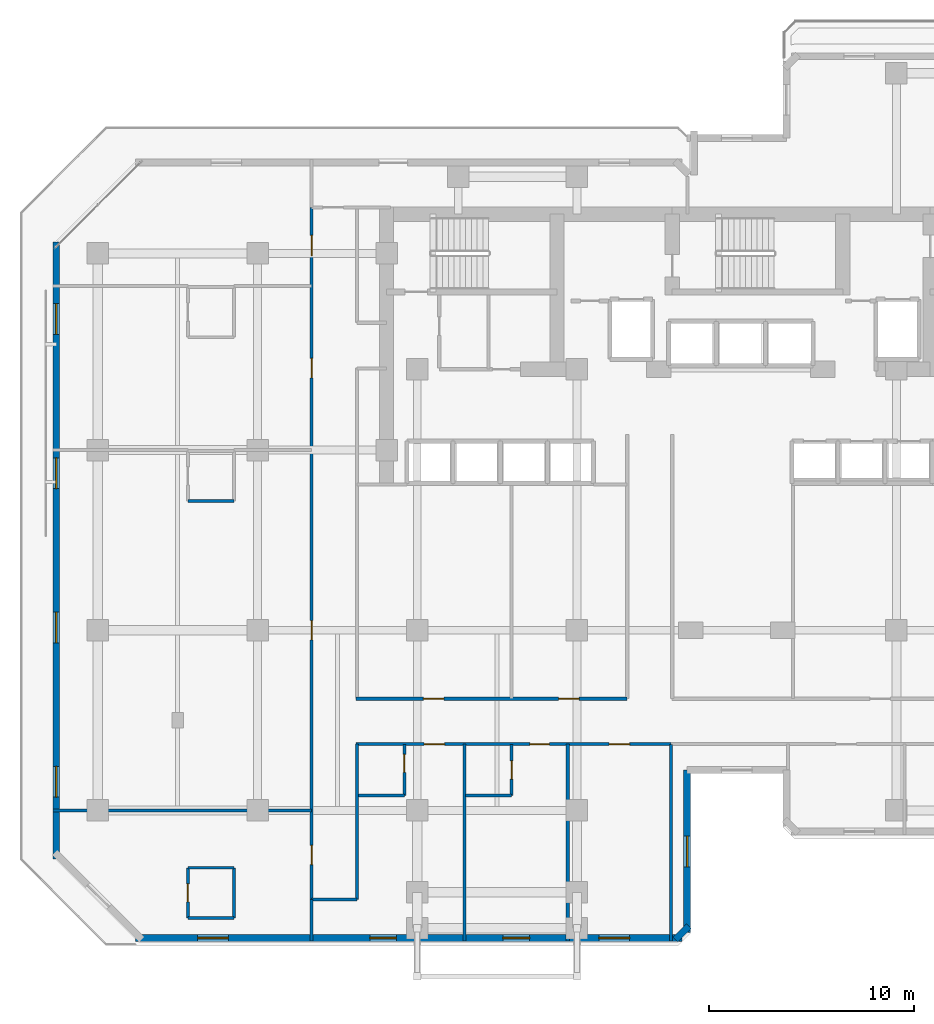
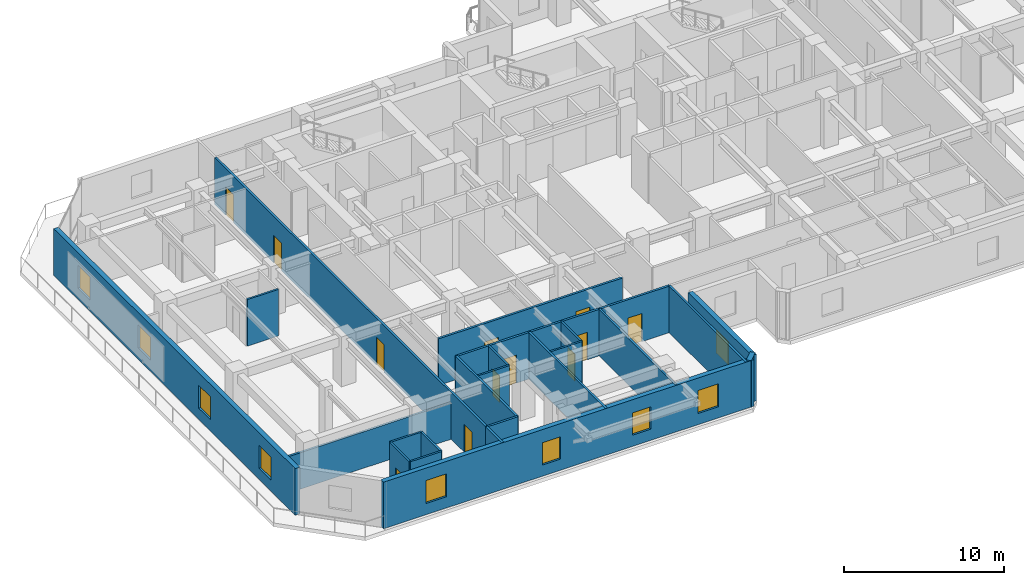
# One storey, part 5 of 11: 23 walls, 12 doors, 9 windows, 21 openings.
"""IFC4 building model written with IfcOpenShell, lengths in metres."""

from ifc_helpers import new_model, si_unit, direction, frame, frame_2d, origin, place, context, subcontext, project, spatial, rectangle, extrude, material, layer, layer_set, type_object, element, fill, save


model = new_model("IFC4")

# Units and contexts
model_context = context("Model", 3, precision=1e-05, world=origin(), true_north=direction((0.0, 1.0)))
body_context = subcontext(model_context, "Body", "Model", "MODEL_VIEW")
ifc_project = project(units=[si_unit("LENGTHUNIT", "METRE"), si_unit("AREAUNIT", "SQUARE_METRE"), si_unit("VOLUMEUNIT", "CUBIC_METRE"), si_unit("PLANEANGLEUNIT", "RADIAN"), si_unit("MASSUNIT", "GRAM", prefix="KILO")], contexts=[model_context])

# Site, building, storey
site_placement = place(None, origin())
site = spatial("IfcSite", under=ifc_project, at=site_placement, CompositionType="ELEMENT")
building_placement = place(site_placement, origin())
building = spatial("IfcBuilding", under=site, at=building_placement, Name="Kestravale Grand Hotel", CompositionType="ELEMENT")
storey_placement = place(building_placement, frame((0.0, 0.0, 134.60009765625)))
storey = spatial("IfcBuildingStorey", under=building, at=storey_placement, Name="L33", CompositionType="ELEMENT", Elevation=134.60009765625)

# Wall, openings, windows
ifc_material_1 = material(Name="Precast concrete f'c 45 MPa", Category="concrete")
ifc_layer_1 = layer(ifc_material_1, 0.340087890625)
ifc_layer_set_1 = layer_set([ifc_layer_1], Name="EW-PREC-340")
wall_type_1 = type_object("IfcWallType", Name="EW-PREC-340", PredefinedType="SOLIDWALL", material=ifc_layer_set_1)
wall_1_placement = place(storey_placement, frame((9.6298828125, 4.969970703125, 0.0), z_axis=(0.0, 0.0, 1.0), x_axis=(1.0, 0.0, 0.0)))
wall_1 = element("IfcWall", 1, at=wall_1_placement, inside=storey, type_object=wall_type_1, Name="L33 fluted precast facade wall 1", PredefinedType="SOLIDWALL", context=body_context, shape_type="SweptSolid", body=[
    extrude(rectangle(XDim=26.690185546875, YDim=0.340087890625, at=frame_2d((13.34521484375, 0.0))), origin(), (0.0, 0.0, 1.0), 3.5498046875),
])
opening_1_placement = place(wall_1_placement, frame((3.04833984375, 0.0, 0.85009765625)))
opening_1 = element("IfcOpeningElement", 2, at=opening_1_placement, cuts=wall_1, Name="Opening W-GUEST-1500", PredefinedType="OPENING", context=body_context, shape_type="SweptSolid", body=[
    extrude(rectangle(XDim=1.5, YDim=1.75, at=frame_2d((0.75, 0.875))), frame((0.0, 0.179931640625, 0.0), z_axis=(0.0, -1.0, 0.0), x_axis=(1.0, 0.0, 0.0)), (0.0, 0.0, 1.0), 0.360107421875),
])
opening_2_placement = place(wall_1_placement, frame((22.6416015625, 0.0, 0.85009765625)))
opening_2 = element("IfcOpeningElement", 3, at=opening_2_placement, cuts=wall_1, Name="Opening W-GUEST-1500", PredefinedType="OPENING", context=body_context, shape_type="SweptSolid", body=[
    extrude(rectangle(XDim=1.5, YDim=1.75, at=frame_2d((0.75, 0.875))), frame((0.0, 0.179931640625, 0.0), z_axis=(0.0, -1.0, 0.0), x_axis=(1.0, 0.0, 0.0)), (0.0, 0.0, 1.0), 0.360107421875),
])
opening_3_placement = place(wall_1_placement, frame((11.449951171875, 0.0, 0.85009765625)))
opening_3 = element("IfcOpeningElement", 4, at=opening_3_placement, cuts=wall_1, Name="Opening W-GUEST-1300", PredefinedType="OPENING", context=body_context, shape_type="SweptSolid", body=[
    extrude(rectangle(XDim=1.300048828125, YDim=1.699951171875, at=frame_2d((0.64990234375, 0.85009765625))), frame((0.0, 0.179931640625, 0.0), z_axis=(0.0, -1.0, 0.0), x_axis=(1.0, 0.0, 0.0)), (0.0, 0.0, 1.0), 0.360107421875),
])
opening_4_placement = place(wall_1_placement, frame((17.955078125, 0.0, 0.85009765625)))
opening_4 = element("IfcOpeningElement", 5, at=opening_4_placement, cuts=wall_1, Name="Opening W-GUEST-1300", PredefinedType="OPENING", context=body_context, shape_type="SweptSolid", body=[
    extrude(rectangle(XDim=1.300048828125, YDim=1.699951171875, at=frame_2d((0.64990234375, 0.85009765625))), frame((0.0, 0.179931640625, 0.0), z_axis=(0.0, -1.0, 0.0), x_axis=(1.0, 0.0, 0.0)), (0.0, 0.0, 1.0), 0.360107421875),
])
ifc_material_2 = material(Name="Insulated low-E double glazing in aluminium frame", Category="aluminium")
window_type_1 = type_object("IfcWindowType", Name="W-GUEST-1300", PartitioningType="SINGLE_PANEL", PredefinedType="WINDOW", material=ifc_material_2)
window_1_placement = place(opening_3_placement, origin())
window_1 = element("IfcWindow", 6, at=window_1_placement, inside=storey, type_object=window_type_1, Name="L33 guestroom envelope window 1", OverallHeight=1.699951171875, OverallWidth=1.300048828125, PartitioningType="SINGLE_PANEL", PredefinedType="WINDOW", context=body_context, shape_type="SweptSolid", body=[
    extrude(rectangle(XDim=1.300048828125, YDim=1.699951171875, at=frame_2d((0.64990234375, 0.85009765625))), frame((0.0, 0.030029296875, 0.0), z_axis=(0.0, -1.0, 0.0), x_axis=(1.0, 0.0, 0.0)), (0.0, 0.0, 1.0), 0.06005859375),
])
fill(opening_3, window_1)
window_2_placement = place(opening_4_placement, origin())
window_2 = element("IfcWindow", 7, at=window_2_placement, inside=storey, type_object=window_type_1, Name="L33 guestroom envelope window 2", OverallHeight=1.699951171875, OverallWidth=1.300048828125, PartitioningType="SINGLE_PANEL", PredefinedType="WINDOW", context=body_context, shape_type="SweptSolid", body=[
    extrude(rectangle(XDim=1.300048828125, YDim=1.699951171875, at=frame_2d((0.64990234375, 0.85009765625))), frame((0.0, 0.030029296875, 0.0), z_axis=(0.0, -1.0, 0.0), x_axis=(1.0, 0.0, 0.0)), (0.0, 0.0, 1.0), 0.06005859375),
])
fill(opening_4, window_2)
ifc_material_3 = material(Name="Insulated low-E double glazing in aluminium frame", Category="aluminium")
window_type_2 = type_object("IfcWindowType", Name="W-GUEST-1500", PartitioningType="SINGLE_PANEL", PredefinedType="WINDOW", material=ifc_material_3)
window_3_placement = place(opening_1_placement, origin())
window_3 = element("IfcWindow", 8, at=window_3_placement, inside=storey, type_object=window_type_2, Name="L33 exterior window 1.1", OverallHeight=1.75, OverallWidth=1.5, PartitioningType="SINGLE_PANEL", PredefinedType="WINDOW", context=body_context, shape_type="SweptSolid", body=[
    extrude(rectangle(XDim=1.5, YDim=1.75, at=frame_2d((0.75, 0.875))), frame((0.0, 0.030029296875, 0.0), z_axis=(0.0, -1.0, 0.0), x_axis=(1.0, 0.0, 0.0)), (0.0, 0.0, 1.0), 0.06005859375),
])
fill(opening_1, window_3)
window_4_placement = place(opening_2_placement, origin())
window_4 = element("IfcWindow", 9, at=window_4_placement, inside=storey, type_object=window_type_2, Name="L33 exterior window 1.2", OverallHeight=1.75, OverallWidth=1.5, PartitioningType="SINGLE_PANEL", PredefinedType="WINDOW", context=body_context, shape_type="SweptSolid", body=[
    extrude(rectangle(XDim=1.5, YDim=1.75, at=frame_2d((0.75, 0.875))), frame((0.0, 0.030029296875, 0.0), z_axis=(0.0, -1.0, 0.0), x_axis=(1.0, 0.0, 0.0)), (0.0, 0.0, 1.0), 0.06005859375),
])
fill(opening_2, window_4)

# Wall
wall_2_placement = place(storey_placement, frame((36.00146484375, 4.891845703125, 0.0), z_axis=(0.0, 0.0, 1.0), x_axis=(0.707106781187, 0.707106781187, 0.0)))
element("IfcWall", 10, at=wall_2_placement, inside=storey, type_object=wall_type_1, Name="L33 fluted precast facade wall 2", PredefinedType="SOLIDWALL", context=body_context, shape_type="SweptSolid", body=[
    extrude(rectangle(XDim=0.9287109375, YDim=0.340087890625, at=frame_2d((0.46435546875, 0.0))), origin(), (0.0, 0.0, 1.0), 3.5498046875),
])

# Wall, opening, window
wall_3_placement = place(storey_placement, frame((36.580078125, 5.22998046875, 0.0), z_axis=(0.0, 0.0, 1.0), x_axis=(0.0, 1.0, 0.0)))
wall_3 = element("IfcWall", 11, at=wall_3_placement, inside=storey, type_object=wall_type_1, Name="L33 fluted precast facade wall 3", PredefinedType="SOLIDWALL", context=body_context, shape_type="SweptSolid", body=[
    extrude(rectangle(XDim=7.93994140625, YDim=0.340087890625, at=frame_2d((3.969970703125, 0.0))), origin(), (0.0, 0.0, 1.0), 3.5498046875),
])
opening_5_placement = place(wall_3_placement, frame((3.219970703125, 0.0, 0.85009765625)))
opening_5 = element("IfcOpeningElement", 12, at=opening_5_placement, cuts=wall_3, Name="Opening W-GUEST-1500", PredefinedType="OPENING", context=body_context, shape_type="SweptSolid", body=[
    extrude(rectangle(XDim=1.5, YDim=1.75, at=frame_2d((0.75, 0.875))), frame((0.0, 0.179931640625, 0.0), z_axis=(0.0, -1.0, 0.0), x_axis=(1.0, 0.0, 0.0)), (0.0, 0.0, 1.0), 0.360107421875),
])
window_5_placement = place(opening_5_placement, origin())
window_5 = element("IfcWindow", 13, at=window_5_placement, inside=storey, type_object=window_type_2, Name="L33 exterior window 3.1", OverallHeight=1.75, OverallWidth=1.5, PartitioningType="SINGLE_PANEL", PredefinedType="WINDOW", context=body_context, shape_type="SweptSolid", body=[
    extrude(rectangle(XDim=1.5, YDim=1.75, at=frame_2d((0.75, 0.875))), frame((0.0, 0.030029296875, 0.0), z_axis=(0.0, -1.0, 0.0), x_axis=(1.0, 0.0, 0.0)), (0.0, 0.0, 1.0), 0.06005859375),
])
fill(opening_5, window_5)

# Wall, openings, windows
wall_4_placement = place(storey_placement, frame((5.77001953125, 38.969970703125, 0.0), z_axis=(0.0, 0.0, 1.0), x_axis=(0.0, -1.0, 0.0)))
wall_4 = element("IfcWall", 14, at=wall_4_placement, inside=storey, type_object=wall_type_1, Name="L33 fluted precast facade wall 19", PredefinedType="SOLIDWALL", context=body_context, shape_type="SweptSolid", body=[
    extrude(rectangle(XDim=30.139892578125, YDim=0.340087890625, at=frame_2d((15.06982421875, 0.0))), origin(), (0.0, 0.0, 1.0), 3.5498046875),
])
opening_6_placement = place(wall_4_placement, frame((3.017578125, 0.0, 0.85009765625)))
opening_6 = element("IfcOpeningElement", 15, at=opening_6_placement, cuts=wall_4, Name="Opening W-GUEST-1500", PredefinedType="OPENING", context=body_context, shape_type="SweptSolid", body=[
    extrude(rectangle(XDim=1.5, YDim=1.75, at=frame_2d((0.75, 0.875))), frame((0.0, 0.179931640625, 0.0), z_axis=(0.0, -1.0, 0.0), x_axis=(1.0, 0.0, 0.0)), (0.0, 0.0, 1.0), 0.360107421875),
])
opening_7_placement = place(wall_4_placement, frame((10.552490234375, 0.0, 0.85009765625)))
opening_7 = element("IfcOpeningElement", 16, at=opening_7_placement, cuts=wall_4, Name="Opening W-GUEST-1500", PredefinedType="OPENING", context=body_context, shape_type="SweptSolid", body=[
    extrude(rectangle(XDim=1.5, YDim=1.75, at=frame_2d((0.75, 0.875))), frame((0.0, 0.179931640625, 0.0), z_axis=(0.0, -1.0, 0.0), x_axis=(1.0, 0.0, 0.0)), (0.0, 0.0, 1.0), 0.360107421875),
])
opening_8_placement = place(wall_4_placement, frame((18.08740234375, 0.0, 0.85009765625)))
opening_8 = element("IfcOpeningElement", 17, at=opening_8_placement, cuts=wall_4, Name="Opening W-GUEST-1500", PredefinedType="OPENING", context=body_context, shape_type="SweptSolid", body=[
    extrude(rectangle(XDim=1.5, YDim=1.75, at=frame_2d((0.75, 0.875))), frame((0.0, 0.179931640625, 0.0), z_axis=(0.0, -1.0, 0.0), x_axis=(1.0, 0.0, 0.0)), (0.0, 0.0, 1.0), 0.360107421875),
])
opening_9_placement = place(wall_4_placement, frame((25.62255859375, 0.0, 0.85009765625)))
opening_9 = element("IfcOpeningElement", 18, at=opening_9_placement, cuts=wall_4, Name="Opening W-GUEST-1500", PredefinedType="OPENING", context=body_context, shape_type="SweptSolid", body=[
    extrude(rectangle(XDim=1.5, YDim=1.75, at=frame_2d((0.75, 0.875))), frame((0.0, 0.179931640625, 0.0), z_axis=(0.0, -1.0, 0.0), x_axis=(1.0, 0.0, 0.0)), (0.0, 0.0, 1.0), 0.360107421875),
])
window_6_placement = place(opening_6_placement, origin())
window_6 = element("IfcWindow", 19, at=window_6_placement, inside=storey, type_object=window_type_2, Name="L33 exterior window 19.1", OverallHeight=1.75, OverallWidth=1.5, PartitioningType="SINGLE_PANEL", PredefinedType="WINDOW", context=body_context, shape_type="SweptSolid", body=[
    extrude(rectangle(XDim=1.5, YDim=1.75, at=frame_2d((0.75, 0.875))), frame((0.0, 0.030029296875, 0.0), z_axis=(0.0, -1.0, 0.0), x_axis=(1.0, 0.0, 0.0)), (0.0, 0.0, 1.0), 0.06005859375),
])
fill(opening_6, window_6)
window_7_placement = place(opening_7_placement, origin())
window_7 = element("IfcWindow", 20, at=window_7_placement, inside=storey, type_object=window_type_2, Name="L33 exterior window 19.2", OverallHeight=1.75, OverallWidth=1.5, PartitioningType="SINGLE_PANEL", PredefinedType="WINDOW", context=body_context, shape_type="SweptSolid", body=[
    extrude(rectangle(XDim=1.5, YDim=1.75, at=frame_2d((0.75, 0.875))), frame((0.0, 0.030029296875, 0.0), z_axis=(0.0, -1.0, 0.0), x_axis=(1.0, 0.0, 0.0)), (0.0, 0.0, 1.0), 0.06005859375),
])
fill(opening_7, window_7)
window_8_placement = place(opening_8_placement, origin())
window_8 = element("IfcWindow", 21, at=window_8_placement, inside=storey, type_object=window_type_2, Name="L33 exterior window 19.3", OverallHeight=1.75, OverallWidth=1.5, PartitioningType="SINGLE_PANEL", PredefinedType="WINDOW", context=body_context, shape_type="SweptSolid", body=[
    extrude(rectangle(XDim=1.5, YDim=1.75, at=frame_2d((0.75, 0.875))), frame((0.0, 0.030029296875, 0.0), z_axis=(0.0, -1.0, 0.0), x_axis=(1.0, 0.0, 0.0)), (0.0, 0.0, 1.0), 0.06005859375),
])
fill(opening_8, window_8)
window_9_placement = place(opening_9_placement, origin())
window_9 = element("IfcWindow", 22, at=window_9_placement, inside=storey, type_object=window_type_2, Name="L33 exterior window 19.4", OverallHeight=1.75, OverallWidth=1.5, PartitioningType="SINGLE_PANEL", PredefinedType="WINDOW", context=body_context, shape_type="SweptSolid", body=[
    extrude(rectangle(XDim=1.5, YDim=1.75, at=frame_2d((0.75, 0.875))), frame((0.0, 0.030029296875, 0.0), z_axis=(0.0, -1.0, 0.0), x_axis=(1.0, 0.0, 0.0)), (0.0, 0.0, 1.0), 0.06005859375),
])
fill(opening_9, window_9)

# Wall, openings, doors
ifc_material_4 = material(Name="Acoustic fire-rated gypsum board partition", Category="other")
ifc_layer_2 = layer(ifc_material_4, 0.159912109375)
ifc_layer_set_2 = layer_set([ifc_layer_2], Name="IW-CORR-160")
wall_type_2 = type_object("IfcWallType", Name="IW-CORR-160", PredefinedType="PARTITIONING", material=ifc_layer_set_2)
wall_5_placement = place(storey_placement, frame((20.39990234375, 16.659912109375, 0.0), z_axis=(0.0, 0.0, 1.0), x_axis=(1.0, 0.0, 0.0)))
wall_5 = element("IfcWall", 23, at=wall_5_placement, inside=storey, type_object=wall_type_2, Name="W-L33-CW-N", PredefinedType="PARTITIONING", context=body_context, shape_type="SweptSolid", body=[
    extrude(rectangle(XDim=13.25, YDim=0.159912109375, at=frame_2d((6.625, 0.0))), origin(), (0.0, 0.0, 1.0), 3.5498046875),
])
opening_10_placement = place(wall_5_placement, frame((3.300048828125, 0.0, 0.0)))
opening_10 = element("IfcOpeningElement", 24, at=opening_10_placement, cuts=wall_5, Name="Opening D-GUEST-1000", PredefinedType="OPENING", context=body_context, shape_type="SweptSolid", body=[
    extrude(rectangle(XDim=1.0, YDim=2.14990234375, at=frame_2d((0.5, 1.074951171875))), frame((0.0, 0.08984375, 0.0), z_axis=(0.0, -1.0, 0.0), x_axis=(1.0, 0.0, 0.0)), (0.0, 0.0, 1.0), 0.179931640625),
])
opening_11_placement = place(wall_5_placement, frame((9.89990234375, 0.0, 0.0)))
opening_11 = element("IfcOpeningElement", 25, at=opening_11_placement, cuts=wall_5, Name="Opening D-GUEST-1000", PredefinedType="OPENING", context=body_context, shape_type="SweptSolid", body=[
    extrude(rectangle(XDim=1.0, YDim=2.14990234375, at=frame_2d((0.5, 1.074951171875))), frame((0.0, 0.08984375, 0.0), z_axis=(0.0, -1.0, 0.0), x_axis=(1.0, 0.0, 0.0)), (0.0, 0.0, 1.0), 0.179931640625),
])
ifc_material_5 = material(Name="Accessible walnut veneer hotel entrance fire door", Category="wood")
door_type_1 = type_object("IfcDoorType", Name="D-GUEST-1000", OperationType="NOTDEFINED", PredefinedType="DOOR", material=ifc_material_5)
door_1_placement = place(opening_10_placement, origin())
door_1 = element("IfcDoor", 26, at=door_1_placement, inside=storey, type_object=door_type_1, Name="D-L33-RECL-W1", OperationType="SINGLE_SWING_LEFT", OverallHeight=2.14990234375, OverallWidth=1.0, PredefinedType="DOOR", context=body_context, shape_type="SweptSolid", body=[
    extrude(rectangle(XDim=1.0, YDim=2.14990234375, at=frame_2d((0.5, 1.074951171875))), frame((0.0, 0.02490234375, 0.0), z_axis=(0.0, -1.0, 0.0), x_axis=(1.0, 0.0, 0.0)), (0.0, 0.0, 1.0), 0.050048828125),
])
fill(opening_10, door_1)
door_2_placement = place(opening_11_placement, origin())
door_2 = element("IfcDoor", 27, at=door_2_placement, inside=storey, type_object=door_type_1, Name="D-L33-RECL-W2", OperationType="SINGLE_SWING_RIGHT", OverallHeight=2.14990234375, OverallWidth=1.0, PredefinedType="DOOR", context=body_context, shape_type="SweptSolid", body=[
    extrude(rectangle(XDim=1.0, YDim=2.14990234375, at=frame_2d((0.5, 1.074951171875))), frame((0.0, 0.02490234375, 0.0), z_axis=(0.0, -1.0, 0.0), x_axis=(1.0, 0.0, 0.0)), (0.0, 0.0, 1.0), 0.050048828125),
])
fill(opening_11, door_2)

wall_6_placement = place(storey_placement, frame((20.39990234375, 14.43994140625, 0.0), z_axis=(0.0, 0.0, 1.0), x_axis=(1.0, 0.0, 0.0)))
wall_6 = element("IfcWall", 28, at=wall_6_placement, inside=storey, type_object=wall_type_2, Name="W-L33-CW-S", PredefinedType="PARTITIONING", context=body_context, shape_type="SweptSolid", body=[
    extrude(rectangle(XDim=15.400146484375, YDim=0.159912109375, at=frame_2d((7.7001953125, 0.0))), origin(), (0.0, 0.0, 1.0), 3.5498046875),
])
opening_12_placement = place(wall_6_placement, frame((3.3349609375, 0.0, 0.0)))
opening_12 = element("IfcOpeningElement", 29, at=opening_12_placement, cuts=wall_6, Name="Opening D-GUEST-1000", PredefinedType="OPENING", context=body_context, shape_type="SweptSolid", body=[
    extrude(rectangle(XDim=1.0, YDim=2.14990234375, at=frame_2d((0.5, 1.074951171875))), frame((0.0, 0.08984375, 0.0), z_axis=(0.0, -1.0, 0.0), x_axis=(1.0, 0.0, 0.0)), (0.0, 0.0, 1.0), 0.179931640625),
])
opening_13_placement = place(wall_6_placement, frame((8.5048828125, 0.0, 0.0)))
opening_13 = element("IfcOpeningElement", 30, at=opening_13_placement, cuts=wall_6, Name="Opening D-GUEST-950", PredefinedType="OPENING", context=body_context, shape_type="SweptSolid", body=[
    extrude(rectangle(XDim=0.949951171875, YDim=2.10009765625, at=frame_2d((0.47509765625, 1.050048828125))), frame((0.0, 0.08984375, 0.0), z_axis=(0.0, -1.0, 0.0), x_axis=(1.0, 0.0, 0.0)), (0.0, 0.0, 1.0), 0.179931640625),
])
opening_14_placement = place(wall_6_placement, frame((12.375, 0.0, 0.0)))
opening_14 = element("IfcOpeningElement", 31, at=opening_14_placement, cuts=wall_6, Name="Opening D-GUEST-1000", PredefinedType="OPENING", context=body_context, shape_type="SweptSolid", body=[
    extrude(rectangle(XDim=1.0, YDim=2.14990234375, at=frame_2d((0.5, 1.074951171875))), frame((0.0, 0.08984375, 0.0), z_axis=(0.0, -1.0, 0.0), x_axis=(1.0, 0.0, 0.0)), (0.0, 0.0, 1.0), 0.179931640625),
])
door_3_placement = place(opening_12_placement, origin())
door_3 = element("IfcDoor", 32, at=door_3_placement, inside=storey, type_object=door_type_1, Name="D-L33-U01-ENT", OperationType="SINGLE_SWING_RIGHT", OverallHeight=2.14990234375, OverallWidth=1.0, PredefinedType="DOOR", context=body_context, shape_type="SweptSolid", body=[
    extrude(rectangle(XDim=1.0, YDim=2.14990234375, at=frame_2d((0.5, 1.074951171875))), frame((0.0, 0.02490234375, 0.0), z_axis=(0.0, -1.0, 0.0), x_axis=(1.0, 0.0, 0.0)), (0.0, 0.0, 1.0), 0.050048828125),
])
fill(opening_12, door_3)
door_4_placement = place(opening_14_placement, origin())
door_4 = element("IfcDoor", 33, at=door_4_placement, inside=storey, type_object=door_type_1, Name="D-L33-AMW", OperationType="SINGLE_SWING_LEFT", OverallHeight=2.14990234375, OverallWidth=1.0, PredefinedType="DOOR", context=body_context, shape_type="SweptSolid", body=[
    extrude(rectangle(XDim=1.0, YDim=2.14990234375, at=frame_2d((0.5, 1.074951171875))), frame((0.0, 0.02490234375, 0.0), z_axis=(0.0, -1.0, 0.0), x_axis=(1.0, 0.0, 0.0)), (0.0, 0.0, 1.0), 0.050048828125),
])
fill(opening_14, door_4)
ifc_material_6 = material(Name="Walnut veneer hotel guestroom entrance fire door", Category="wood")
door_type_2 = type_object("IfcDoorType", Name="D-GUEST-950", OperationType="NOTDEFINED", PredefinedType="DOOR", material=ifc_material_6)
door_5_placement = place(opening_13_placement, origin())
door_5 = element("IfcDoor", 34, at=door_5_placement, inside=storey, type_object=door_type_2, Name="D-L33-U02-ENT", OperationType="SINGLE_SWING_RIGHT", OverallHeight=2.10009765625, OverallWidth=0.949951171875, PredefinedType="DOOR", context=body_context, shape_type="SweptSolid", body=[
    extrude(rectangle(XDim=0.949951171875, YDim=2.10009765625, at=frame_2d((0.47509765625, 1.050048828125))), frame((0.0, 0.02490234375, 0.0), z_axis=(0.0, -1.0, 0.0), x_axis=(1.0, 0.0, 0.0)), (0.0, 0.0, 1.0), 0.050048828125),
])
fill(opening_13, door_5)

wall_7_placement = place(storey_placement, frame((18.239990234375, 6.85009765625, 0.0), z_axis=(0.0, 0.0, 1.0), x_axis=(0.0, 1.0, 0.0)))
wall_7 = element("IfcWall", 35, at=wall_7_placement, inside=storey, type_object=wall_type_2, Name="W-L33-SW-W", PredefinedType="PARTITIONING", context=body_context, shape_type="SweptSolid", body=[
    extrude(rectangle(XDim=33.7998046875, YDim=0.159912109375, at=frame_2d((16.89990234375, 0.0))), origin(), (0.0, 0.0, 1.0), 3.5498046875),
])
opening_15_placement = place(wall_7_placement, frame((1.699951171875, 0.0, 0.0)))
opening_15 = element("IfcOpeningElement", 36, at=opening_15_placement, cuts=wall_7, Name="Opening D-GUEST-950", PredefinedType="OPENING", context=body_context, shape_type="SweptSolid", body=[
    extrude(rectangle(XDim=0.949951171875, YDim=2.10009765625, at=frame_2d((0.47509765625, 1.050048828125))), frame((0.0, 0.08984375, 0.0), z_axis=(0.0, -1.0, 0.0), x_axis=(1.0, 0.0, 0.0)), (0.0, 0.0, 1.0), 0.179931640625),
])
opening_16_placement = place(wall_7_placement, frame((12.675048828125, 0.0, 0.0)))
opening_16 = element("IfcOpeningElement", 37, at=opening_16_placement, cuts=wall_7, Name="Opening D-GUEST-950", PredefinedType="OPENING", context=body_context, shape_type="SweptSolid", body=[
    extrude(rectangle(XDim=0.949951171875, YDim=2.10009765625, at=frame_2d((0.47509765625, 1.050048828125))), frame((0.0, 0.08984375, 0.0), z_axis=(0.0, -1.0, 0.0), x_axis=(1.0, 0.0, 0.0)), (0.0, 0.0, 1.0), 0.179931640625),
])
opening_17_placement = place(wall_7_placement, frame((25.47509765625, 0.0, 0.0)))
opening_17 = element("IfcOpeningElement", 38, at=opening_17_placement, cuts=wall_7, Name="Opening D-GUEST-950", PredefinedType="OPENING", context=body_context, shape_type="SweptSolid", body=[
    extrude(rectangle(XDim=0.949951171875, YDim=2.10009765625, at=frame_2d((0.47509765625, 1.050048828125))), frame((0.0, 0.08984375, 0.0), z_axis=(0.0, -1.0, 0.0), x_axis=(1.0, 0.0, 0.0)), (0.0, 0.0, 1.0), 0.179931640625),
])
opening_18_placement = place(wall_7_placement, frame((31.429931640625, 0.0, 0.0)))
opening_18 = element("IfcOpeningElement", 39, at=opening_18_placement, cuts=wall_7, Name="Opening D-GUEST-1000", PredefinedType="OPENING", context=body_context, shape_type="SweptSolid", body=[
    extrude(rectangle(XDim=1.0, YDim=2.14990234375, at=frame_2d((0.5, 1.074951171875))), frame((0.0, 0.08984375, 0.0), z_axis=(0.0, -1.0, 0.0), x_axis=(1.0, 0.0, 0.0)), (0.0, 0.0, 1.0), 0.179931640625),
])
door_6_placement = place(opening_18_placement, origin())
door_6 = element("IfcDoor", 40, at=door_6_placement, inside=storey, type_object=door_type_1, Name="D-L33-AMWW", OperationType="SINGLE_SWING_LEFT", OverallHeight=2.14990234375, OverallWidth=1.0, PredefinedType="DOOR", context=body_context, shape_type="SweptSolid", body=[
    extrude(rectangle(XDim=1.0, YDim=2.14990234375, at=frame_2d((0.5, 1.074951171875))), frame((0.0, 0.02490234375, 0.0), z_axis=(0.0, -1.0, 0.0), x_axis=(1.0, 0.0, 0.0)), (0.0, 0.0, 1.0), 0.050048828125),
])
fill(opening_18, door_6)
door_7_placement = place(opening_15_placement, origin())
door_7 = element("IfcDoor", 41, at=door_7_placement, inside=storey, type_object=door_type_2, Name="D-L33-U03-ENT", OperationType="SINGLE_SWING_RIGHT", OverallHeight=2.10009765625, OverallWidth=0.949951171875, PredefinedType="DOOR", context=body_context, shape_type="SweptSolid", body=[
    extrude(rectangle(XDim=0.949951171875, YDim=2.10009765625, at=frame_2d((0.47509765625, 1.050048828125))), frame((0.0, 0.02490234375, 0.0), z_axis=(0.0, -1.0, 0.0), x_axis=(1.0, 0.0, 0.0)), (0.0, 0.0, 1.0), 0.050048828125),
])
fill(opening_15, door_7)
door_8_placement = place(opening_16_placement, origin())
door_8 = element("IfcDoor", 42, at=door_8_placement, inside=storey, type_object=door_type_2, Name="D-L33-U04-ENT", OperationType="SINGLE_SWING_RIGHT", OverallHeight=2.10009765625, OverallWidth=0.949951171875, PredefinedType="DOOR", context=body_context, shape_type="SweptSolid", body=[
    extrude(rectangle(XDim=0.949951171875, YDim=2.10009765625, at=frame_2d((0.47509765625, 1.050048828125))), frame((0.0, 0.02490234375, 0.0), z_axis=(0.0, -1.0, 0.0), x_axis=(1.0, 0.0, 0.0)), (0.0, 0.0, 1.0), 0.050048828125),
])
fill(opening_16, door_8)
door_9_placement = place(opening_17_placement, origin())
door_9 = element("IfcDoor", 43, at=door_9_placement, inside=storey, type_object=door_type_2, Name="D-L33-U05-ENT", OperationType="SINGLE_SWING_RIGHT", OverallHeight=2.10009765625, OverallWidth=0.949951171875, PredefinedType="DOOR", context=body_context, shape_type="SweptSolid", body=[
    extrude(rectangle(XDim=0.949951171875, YDim=2.10009765625, at=frame_2d((0.47509765625, 1.050048828125))), frame((0.0, 0.02490234375, 0.0), z_axis=(0.0, -1.0, 0.0), x_axis=(1.0, 0.0, 0.0)), (0.0, 0.0, 1.0), 0.050048828125),
])
fill(opening_17, door_9)

# Wall
wall_8_placement = place(storey_placement, frame((20.4599609375, 6.85009765625, 0.0), z_axis=(0.0, 0.0, 1.0), x_axis=(0.0, 1.0, 0.0)))
element("IfcWall", 44, at=wall_8_placement, inside=storey, type_object=wall_type_2, Name="W-L33-SW-E", PredefinedType="PARTITIONING", context=body_context, shape_type="SweptSolid", body=[
    extrude(rectangle(XDim=7.58984375, YDim=0.159912109375, at=frame_2d((3.794921875, 0.0))), origin(), (0.0, 0.0, 1.0), 3.5498046875),
])

# Wall, opening, door
ifc_material_7 = material(Name="Moisture-resistant tile-backer plumbing chase wall", Category="other")
ifc_layer_3 = layer(ifc_material_7, 0.139892578125)
ifc_layer_set_3 = layer_set([ifc_layer_3], Name="IW-PLB-140")
wall_type_3 = type_object("IfcWallType", Name="IW-PLB-140", PredefinedType="PLUMBINGWALL", material=ifc_layer_set_3)
wall_9_placement = place(storey_placement, frame((22.77001953125, 11.929931640625, 0.0), z_axis=(0.0, 0.0, 1.0), x_axis=(0.0, 1.0, 0.0)))
wall_9 = element("IfcWall", 45, at=wall_9_placement, inside=storey, type_object=wall_type_3, Name="W-L33-U01-BE", PredefinedType="PLUMBINGWALL", context=body_context, shape_type="SweptSolid", body=[
    extrude(rectangle(XDim=2.489990234375, YDim=0.139892578125, at=frame_2d((1.2451171875, 0.0))), origin(), (0.0, 0.0, 1.0), 3.5498046875),
])
opening_19_placement = place(wall_9_placement, frame((1.12451171875, 0.0, 0.0)))
opening_19 = element("IfcOpeningElement", 46, at=opening_19_placement, cuts=wall_9, Name="Opening D-BATH-880", PredefinedType="OPENING", context=body_context, shape_type="SweptSolid", body=[
    extrude(rectangle(XDim=0.8798828125, YDim=2.050048828125, at=frame_2d((0.43994140625, 1.02490234375))), frame((0.0, 0.079833984375, 0.0), z_axis=(0.0, -1.0, 0.0), x_axis=(1.0, 0.0, 0.0)), (0.0, 0.0, 1.0), 0.159912109375),
])
ifc_material_8 = material(Name="Moisture-sealed walnut en-suite bathroom door", Category="wood")
door_type_3 = type_object("IfcDoorType", Name="D-BATH-880", OperationType="NOTDEFINED", PredefinedType="DOOR", material=ifc_material_8)
door_10_placement = place(opening_19_placement, origin())
door_10 = element("IfcDoor", 47, at=door_10_placement, inside=storey, type_object=door_type_3, Name="D-L33-U01-BATH", OperationType="SINGLE_SWING_LEFT", OverallHeight=2.050048828125, OverallWidth=0.8798828125, PredefinedType="DOOR", context=body_context, shape_type="SweptSolid", body=[
    extrude(rectangle(XDim=0.8798828125, YDim=2.050048828125, at=frame_2d((0.43994140625, 1.02490234375))), frame((0.0, 0.02490234375, 0.0), z_axis=(0.0, -1.0, 0.0), x_axis=(1.0, 0.0, 0.0)), (0.0, 0.0, 1.0), 0.050048828125),
])
fill(opening_19, door_10)

# Wall
wall_10_placement = place(storey_placement, frame((20.52001953125, 11.929931640625, 0.0), z_axis=(0.0, 0.0, 1.0), x_axis=(1.0, 0.0, 0.0)))
element("IfcWall", 48, at=wall_10_placement, inside=storey, type_object=wall_type_3, Name="W-L33-U01-BS", PredefinedType="PLUMBINGWALL", context=body_context, shape_type="SweptSolid", body=[
    extrude(rectangle(XDim=2.25, YDim=0.139892578125, at=frame_2d((1.125, 0.0))), origin(), (0.0, 0.0, 1.0), 3.5498046875),
])

# Wall, opening, door
wall_11_placement = place(storey_placement, frame((28.010009765625, 11.929931640625, 0.0), z_axis=(0.0, 0.0, 1.0), x_axis=(0.0, 1.0, 0.0)))
wall_11 = element("IfcWall", 49, at=wall_11_placement, inside=storey, type_object=wall_type_3, Name="W-L33-U02-BE", PredefinedType="PLUMBINGWALL", context=body_context, shape_type="SweptSolid", body=[
    extrude(rectangle(XDim=2.489990234375, YDim=0.139892578125, at=frame_2d((1.2451171875, 0.0))), origin(), (0.0, 0.0, 1.0), 3.5498046875),
])
opening_20_placement = place(wall_11_placement, frame((0.804931640625, 0.0, 0.0)))
opening_20 = element("IfcOpeningElement", 50, at=opening_20_placement, cuts=wall_11, Name="Opening D-BATH-880", PredefinedType="OPENING", context=body_context, shape_type="SweptSolid", body=[
    extrude(rectangle(XDim=0.8798828125, YDim=2.050048828125, at=frame_2d((0.43994140625, 1.02490234375))), frame((0.0, 0.079833984375, 0.0), z_axis=(0.0, -1.0, 0.0), x_axis=(1.0, 0.0, 0.0)), (0.0, 0.0, 1.0), 0.159912109375),
])
door_11_placement = place(opening_20_placement, origin())
door_11 = element("IfcDoor", 51, at=door_11_placement, inside=storey, type_object=door_type_3, Name="D-L33-U02-BATH", OperationType="SINGLE_SWING_LEFT", OverallHeight=2.050048828125, OverallWidth=0.8798828125, PredefinedType="DOOR", context=body_context, shape_type="SweptSolid", body=[
    extrude(rectangle(XDim=0.8798828125, YDim=2.050048828125, at=frame_2d((0.43994140625, 1.02490234375))), frame((0.0, 0.02490234375, 0.0), z_axis=(0.0, -1.0, 0.0), x_axis=(1.0, 0.0, 0.0)), (0.0, 0.0, 1.0), 0.050048828125),
])
fill(opening_20, door_11)

# Wall
wall_12_placement = place(storey_placement, frame((25.760009765625, 11.929931640625, 0.0), z_axis=(0.0, 0.0, 1.0), x_axis=(1.0, 0.0, 0.0)))
element("IfcWall", 52, at=wall_12_placement, inside=storey, type_object=wall_type_3, Name="W-L33-U02-BS", PredefinedType="PLUMBINGWALL", context=body_context, shape_type="SweptSolid", body=[
    extrude(rectangle(XDim=2.25, YDim=0.139892578125, at=frame_2d((1.125, 0.0))), origin(), (0.0, 0.0, 1.0), 3.5498046875),
])

# Wall, opening, door
wall_13_placement = place(storey_placement, frame((12.199951171875, 5.949951171875, 0.0), z_axis=(0.0, 0.0, 1.0), x_axis=(0.0, 1.0, 0.0)))
wall_13 = element("IfcWall", 53, at=wall_13_placement, inside=storey, type_object=wall_type_3, Name="W-L33-U03-BW", PredefinedType="PLUMBINGWALL", context=body_context, shape_type="SweptSolid", body=[
    extrude(rectangle(XDim=2.449951171875, YDim=0.139892578125, at=frame_2d((1.22509765625, 0.0))), origin(), (0.0, 0.0, 1.0), 3.5498046875),
])
opening_21_placement = place(wall_13_placement, frame((0.784912109375, 0.0, 0.0)))
opening_21 = element("IfcOpeningElement", 54, at=opening_21_placement, cuts=wall_13, Name="Opening D-BATH-880", PredefinedType="OPENING", context=body_context, shape_type="SweptSolid", body=[
    extrude(rectangle(XDim=0.8798828125, YDim=2.050048828125, at=frame_2d((0.43994140625, 1.02490234375))), frame((0.0, 0.079833984375, 0.0), z_axis=(0.0, -1.0, 0.0), x_axis=(1.0, 0.0, 0.0)), (0.0, 0.0, 1.0), 0.159912109375),
])
door_12_placement = place(opening_21_placement, origin())
door_12 = element("IfcDoor", 55, at=door_12_placement, inside=storey, type_object=door_type_3, Name="D-L33-U03-BATH", OperationType="SINGLE_SWING_LEFT", OverallHeight=2.050048828125, OverallWidth=0.8798828125, PredefinedType="DOOR", context=body_context, shape_type="SweptSolid", body=[
    extrude(rectangle(XDim=0.8798828125, YDim=2.050048828125, at=frame_2d((0.43994140625, 1.02490234375))), frame((0.0, 0.02490234375, 0.0), z_axis=(0.0, -1.0, 0.0), x_axis=(1.0, 0.0, 0.0)), (0.0, 0.0, 1.0), 0.050048828125),
])
fill(opening_21, door_12)

# Walls
wall_14_placement = place(storey_placement, frame((14.449951171875, 5.949951171875, 0.0), z_axis=(0.0, 0.0, 1.0), x_axis=(0.0, 1.0, 0.0)))
element("IfcWall", 56, at=wall_14_placement, inside=storey, type_object=wall_type_3, Name="W-L33-U03-BE", PredefinedType="PLUMBINGWALL", context=body_context, shape_type="SweptSolid", body=[
    extrude(rectangle(XDim=2.449951171875, YDim=0.139892578125, at=frame_2d((1.22509765625, 0.0))), origin(), (0.0, 0.0, 1.0), 3.5498046875),
])
for number, where, z_axis, x_axis, name in (
    (57, (12.199951171875, 5.949951171875, 0.0), (0.0, 0.0, 1.0), (1.0, 0.0, 0.0), "W-L33-U03-BS"),
    (58, (12.199951171875, 8.39990234375, 0.0), (0.0, 0.0, 1.0), (1.0, 0.0, 0.0), "W-L33-U03-BN"),
    (59, (12.199951171875, 26.31005859375, 0.0), (0.0, 0.0, 1.0), (1.0, 0.0, 0.0), "W-L33-U04-BS"),
):
    element("IfcWall", number, at=place(storey_placement, frame(where, z_axis=z_axis, x_axis=x_axis)), inside=storey, type_object=wall_type_3, Name=name, PredefinedType="PLUMBINGWALL", context=body_context, shape_type="SweptSolid", body=[
        extrude(rectangle(XDim=2.25, YDim=0.139892578125, at=frame_2d((1.125, 0.0))), origin(), (0.0, 0.0, 1.0), 3.5498046875),
    ])
ifc_material_9 = material(Name="Double-stud STC 52 acoustic demising partition", Category="other")
ifc_layer_4 = layer(ifc_material_9, 0.14990234375)
ifc_layer_set_4 = layer_set([ifc_layer_4], Name="IW-UNIT-150")
wall_type_4 = type_object("IfcWallType", Name="IW-UNIT-150", PredefinedType="PARTITIONING", material=ifc_layer_set_4)
wall_15_placement = place(storey_placement, frame((18.239990234375, 6.85009765625, 0.0), z_axis=(0.0, 0.0, 1.0), x_axis=(1.0, 0.0, 0.0)))
element("IfcWall", 60, at=wall_15_placement, inside=storey, type_object=wall_type_4, Name="W-L33-SW-S", PredefinedType="PARTITIONING", context=body_context, shape_type="SweptSolid", body=[
    extrude(rectangle(XDim=2.219970703125, YDim=0.14990234375, at=frame_2d((1.10986328125, 0.0))), origin(), (0.0, 0.0, 1.0), 3.5498046875),
])
for number, where, z_axis, x_axis, name in (
    (61, (25.699951171875, 4.820068359375, 0.0), (0.0, 0.0, 1.0), (0.0, 1.0, 0.0), "W-L33-WS-1"),
    (62, (30.75, 4.820068359375, 0.0), (0.0, 0.0, 1.0), (0.0, 1.0, 0.0), "W-L33-WS-2"),
):
    element("IfcWall", number, at=place(storey_placement, frame(where, z_axis=z_axis, x_axis=x_axis)), inside=storey, type_object=wall_type_4, Name=name, PredefinedType="PARTITIONING", context=body_context, shape_type="SweptSolid", body=[
        extrude(rectangle(XDim=9.619873046875, YDim=0.14990234375, at=frame_2d((4.81005859375, 0.0))), origin(), (0.0, 0.0, 1.0), 3.5498046875),
    ])
wall_16_placement = place(storey_placement, frame((35.800048828125, 4.820068359375, 0.0), z_axis=(0.0, 0.0, 1.0), x_axis=(0.0, 1.0, 0.0)))
element("IfcWall", 63, at=wall_16_placement, inside=storey, type_object=wall_type_4, Name="W-L33-MID-S", PredefinedType="PARTITIONING", context=body_context, shape_type="SweptSolid", body=[
    extrude(rectangle(XDim=9.599853515625, YDim=0.14990234375, at=frame_2d((4.7998046875, 0.0))), origin(), (0.0, 0.0, 1.0), 3.5498046875),
])
wall_17_placement = place(storey_placement, frame((18.239990234375, 4.820068359375, 0.0), z_axis=(0.0, 0.0, 1.0), x_axis=(0.0, 1.0, 0.0)))
element("IfcWall", 64, at=wall_17_placement, inside=storey, type_object=wall_type_4, Name="W-L33-SW-EXT", PredefinedType="PARTITIONING", context=body_context, shape_type="SweptSolid", body=[
    extrude(rectangle(XDim=2.030029296875, YDim=0.14990234375, at=frame_2d((1.01513671875, 0.0))), origin(), (0.0, 0.0, 1.0), 3.5498046875),
])
wall_18_placement = place(storey_placement, frame((5.6201171875, 11.199951171875, 0.0), z_axis=(0.0, 0.0, 1.0), x_axis=(1.0, 0.0, 0.0)))
element("IfcWall", 65, at=wall_18_placement, inside=storey, type_object=wall_type_4, Name="W-L33-WW-1", PredefinedType="PARTITIONING", context=body_context, shape_type="SweptSolid", body=[
    extrude(rectangle(XDim=12.619873046875, YDim=0.14990234375, at=frame_2d((6.31005859375, 0.0))), origin(), (0.0, 0.0, 1.0), 2.77783203125),
])

save(model, "model.ifc")
